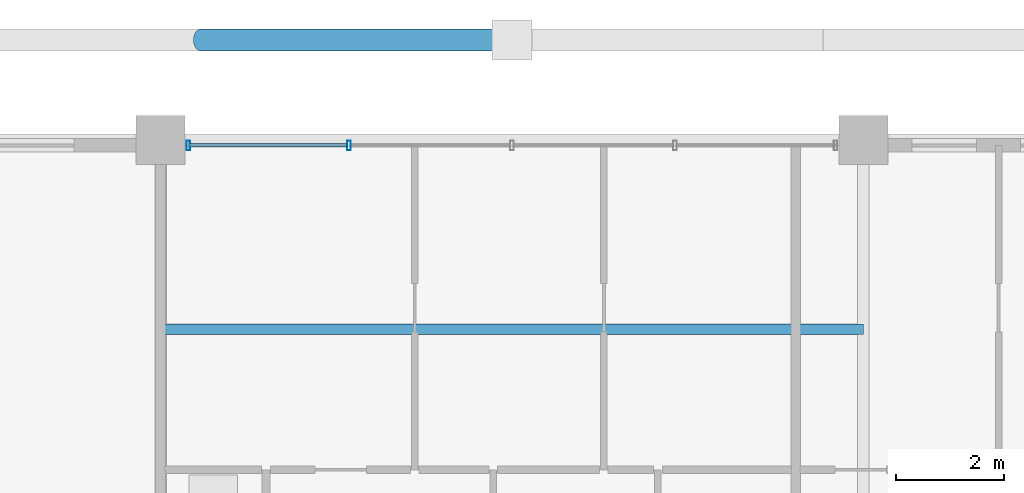
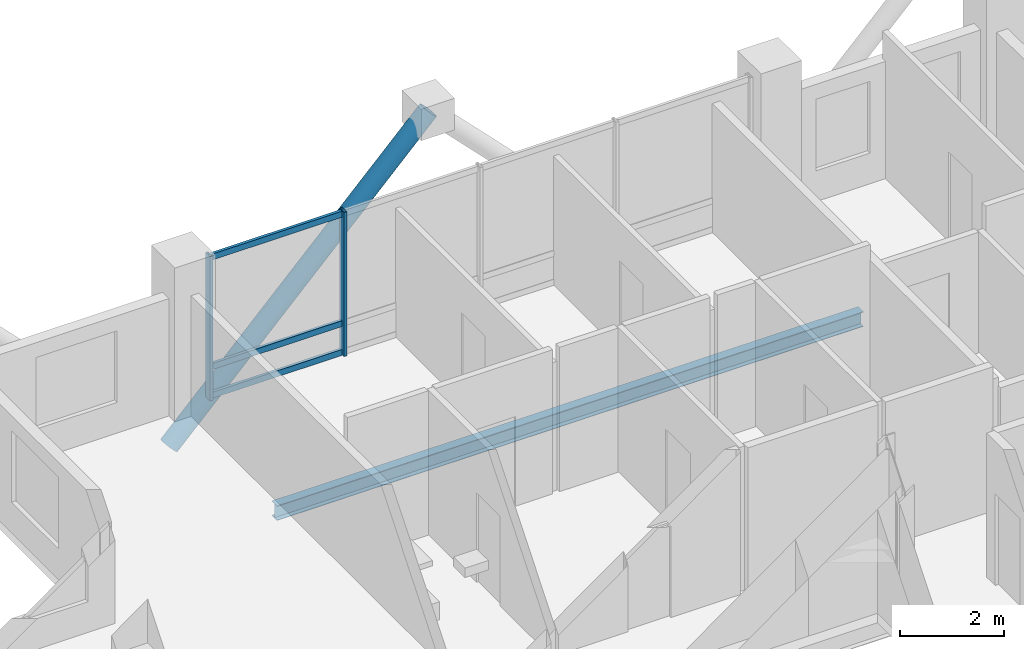
# One storey, part 14 of 24: 6 members, 1 beam, 1 element without a shape of its own.
"""IFC4 building model written with IfcOpenShell, lengths in metres."""

import ifcopenshell
import ifcopenshell.guid

model = None  # the IFC model being written
_history = None  # IfcOwnerHistory: only IFC2X3 demands one
_inside = {}  # id of a spatial element -> (the spatial element, [elements in it])
_under = {}  # id of a project, library or spatial element -> (it, [spatial elements below it])
_declared = {}  # id of a project -> (the project, [libraries it declares])
_typed = {}  # id of a type object -> (the type object, [elements of that type])
_made_of = {}  # id of a material, layer set ... -> (it, [elements and type objects made of it])


def new_model(schema):
    """Start an empty IFC model of exactly this schema.

    Asked for "IFC4X3", IfcOpenShell would pick the latest addendum, in which some entities
    have other attributes; the version numbers below select the first issue.
    IFC2X3 requires an IfcOwnerHistory on every rooted entity: one is made here for all.
    """
    global model, _history
    if schema == "IFC4X3":
        model = ifcopenshell.file(schema_version=(4, 3, 0, 0))
    else:
        model = ifcopenshell.file(schema=schema)
    _inside.clear()
    _under.clear()
    _declared.clear()
    _typed.clear()
    _made_of.clear()
    _history = None
    if model.schema == "IFC2X3":
        org = make("IfcOrganization", Name="unknown")
        user = make(
            "IfcPersonAndOrganization",
            ThePerson=make("IfcPerson", FamilyName="unknown"),
            TheOrganization=org,
        )
        app = make(
            "IfcApplication",
            ApplicationDeveloper=org,
            Version="unknown",
            ApplicationFullName="unknown",
            ApplicationIdentifier="unknown",
        )
        _history = make(
            "IfcOwnerHistory",
            OwningUser=user,
            OwningApplication=app,
            ChangeAction="ADDED",
            CreationDate=0,
        )
    return model


def make(cls, **values):
    """One entity of the class cls with the attributes given. An attribute that is None is left unset."""
    return model.create_entity(
        cls, **{name: value for name, value in values.items() if value is not None}
    )


def rooted(cls, **values):
    """An entity with a GlobalId (a new one), such as an element, a storey or a relation."""
    return make(cls, GlobalId=ifcopenshell.guid.new(), OwnerHistory=_history, **values)


def si_unit(unit_type, name, prefix=None):
    """IfcSIUnit, for example si_unit("LENGTHUNIT", "METRE", prefix="MILLI")."""
    return make("IfcSIUnit", UnitType=unit_type, Prefix=prefix, Name=name)


def assignment(units):
    """IfcUnitAssignment: the units of a project."""
    return None if units is None else make("IfcUnitAssignment", Units=units)


def point(xyz):
    """IfcCartesianPoint."""
    return None if xyz is None else make("IfcCartesianPoint", Coordinates=xyz)


def direction(xyz):
    """IfcDirection."""
    return None if xyz is None else make("IfcDirection", DirectionRatios=xyz)


def frame(location, z_axis=None, x_axis=None):
    """IfcAxis2Placement3D, a coordinate frame: its origin and axes. An axis left out is left unset."""
    return make(
        "IfcAxis2Placement3D",
        Location=point(location),
        Axis=direction(z_axis),
        RefDirection=direction(x_axis),
    )


def frame_2d(location, x_axis=None):
    """IfcAxis2Placement2D, a coordinate frame in the plane: its origin and x axis."""
    return make(
        "IfcAxis2Placement2D", Location=point(location), RefDirection=direction(x_axis)
    )


def origin():
    """The frame at (0, 0, 0) with its axes left unset."""
    return frame((0.0, 0.0, 0.0))


def origin_2d():
    """The frame at (0, 0) in the plane with its x axis left unset."""
    return frame_2d((0.0, 0.0))


def place(relative_to, where):
    """IfcLocalPlacement: puts the frame where relative to a parent placement (None: the world)."""
    return make(
        "IfcLocalPlacement", PlacementRelTo=relative_to, RelativePlacement=where
    )


def context(
    kind, dimensions, precision=None, world=None, true_north=None, identifier=None
):
    """IfcGeometricRepresentationContext, for example the 3D "Model" context."""
    return make(
        "IfcGeometricRepresentationContext",
        ContextIdentifier=identifier,
        ContextType=kind,
        CoordinateSpaceDimension=dimensions,
        Precision=precision,
        WorldCoordinateSystem=world,
        TrueNorth=true_north,
    )


def subcontext(parent, identifier, kind, view, scale=None):
    """IfcGeometricRepresentationSubContext, for example "Body" below "Model"."""
    return make(
        "IfcGeometricRepresentationSubContext",
        ContextIdentifier=identifier,
        ContextType=kind,
        ParentContext=parent,
        TargetScale=scale,
        TargetView=view,
    )


def project(units=None, contexts=None):
    """IfcProject with its units and contexts."""
    return rooted(
        "IfcProject",
        Name="project",
        RepresentationContexts=contexts,
        UnitsInContext=assignment(units),
    )


def spatial(cls, under=None, at=None, **own):
    """A site, building, storey or space (cls), placed at a placement, below another one or the project."""
    s = rooted(cls, ObjectPlacement=at, **own)
    if under is not None:
        _under.setdefault(under.id(), (under, []))[1].append(s)
    return s


def profile(cls, at=None, kind="AREA", **sizes):
    """A parametric profile (cls). Its sizes go by their IFC names, for example OverallWidth=200.0."""
    return make(cls, ProfileType=kind, Position=at, **sizes)


def hollow_rectangle(**sizes):
    """IfcRectangleHollowProfileDef."""
    return profile("IfcRectangleHollowProfileDef", **sizes)


def hollow_circle(**sizes):
    """IfcCircleHollowProfileDef."""
    return profile("IfcCircleHollowProfileDef", **sizes)


def i_section(**sizes):
    """IfcIShapeProfileDef."""
    return profile("IfcIShapeProfileDef", **sizes)


def extrude(swept, where, along, depth):
    """IfcExtrudedAreaSolid: the profile swept, set in the frame where, extruded along a direction by depth."""
    return make(
        "IfcExtrudedAreaSolid",
        SweptArea=swept,
        Position=where,
        ExtrudedDirection=direction(along),
        Depth=depth,
    )


def shape(context_of_items, identifier, shape_type, items):
    """IfcShapeRepresentation: the items that make up one representation, for example the "Body"."""
    return make(
        "IfcShapeRepresentation",
        ContextOfItems=context_of_items,
        RepresentationIdentifier=identifier,
        RepresentationType=shape_type,
        Items=items,
    )


def material(Name=None, Category=None):
    """IfcMaterial."""
    return make("IfcMaterial", Name=Name, Category=Category)


def layer(
    of_material, thickness, ventilated=None, Name=None, Category=None, Priority=None
):
    """IfcMaterialLayer: one layer of a wall or slab, of a material (None: an air gap)."""
    return make(
        "IfcMaterialLayer",
        Material=of_material,
        LayerThickness=thickness,
        IsVentilated=ventilated,
        Name=Name,
        Category=Category,
        Priority=Priority,
    )


def layer_set(layers, Name=None):
    """IfcMaterialLayerSet."""
    return make("IfcMaterialLayerSet", MaterialLayers=layers, LayerSetName=Name)


def material_profile(
    of_material, cross_section, Name=None, Category=None, Priority=None
):
    """IfcMaterialProfile: a cross section and its material."""
    return make(
        "IfcMaterialProfile",
        Name=Name,
        Material=of_material,
        Profile=cross_section,
        Priority=Priority,
        Category=Category,
    )


def profile_set(profiles, Name=None, composite=None):
    """IfcMaterialProfileSet."""
    return make(
        "IfcMaterialProfileSet",
        Name=Name,
        MaterialProfiles=profiles,
        CompositeProfile=composite,
    )


def made_of(thing, what):
    """Note that an element or type object is made of a material, layer set ...; save() writes the relation."""
    if what is not None:
        _made_of.setdefault(what.id(), (what, []))[1].append(thing)
    return thing


def type_object(cls, material=None, **own):
    """A type object (cls), such as IfcWallType, which elements share."""
    return made_of(rooted(cls, **own), material)


def element(
    cls,
    number,
    at=None,
    inside=None,
    cuts=None,
    type_object=None,
    material=None,
    context=None,
    identifier="Body",
    shape_type=None,
    held_by="IfcProductDefinitionShape",
    body=None,
    shapes=None,
    **own,
):
    """One element of the class cls, such as IfcWall. Its Tag is "e" and its number.

    at: its placement. inside: the storey or other place that contains it. cuts: it is an
    opening in that element (IfcRelVoidsElement). A single representation is given by context,
    identifier, shape_type and body (its items); several are given by shapes. held_by: the class
    of the entity that holds the representations. save() writes the other relations.
    """
    e = rooted(cls, Tag="e%d" % number, ObjectPlacement=at, **own)
    if body is not None:
        shapes = [shape(context, identifier, shape_type, body)]
    if shapes is not None:
        e.Representation = make(held_by, Representations=shapes)
    if inside is not None:
        _inside.setdefault(inside.id(), (inside, []))[1].append(e)
    if cuts is not None:
        rooted(
            "IfcRelVoidsElement", RelatingBuildingElement=cuts, RelatedOpeningElement=e
        )
    if type_object is not None:
        _typed.setdefault(type_object.id(), (type_object, []))[1].append(e)
    return made_of(e, material)


def aggregate(whole, parts):
    """IfcRelAggregates: a whole, such as a stair, and the parts it consists of."""
    return rooted("IfcRelAggregates", RelatingObject=whole, RelatedObjects=parts)


def save(model, path):
    """Write the relations noted so far, then the file.

    IfcRelAggregates (storeys below a building ...), IfcRelContainedInSpatialStructure (elements
    in a storey), IfcRelDefinesByType, IfcRelAssociatesMaterial and IfcRelDeclares: one each for
    every whole, place, type object, material and project.
    """
    for whole, parts in _under.values():
        aggregate(whole, parts)
    for where, things in _inside.values():
        rooted(
            "IfcRelContainedInSpatialStructure",
            RelatedElements=things,
            RelatingStructure=where,
        )
    for kind, things in _typed.values():
        rooted("IfcRelDefinesByType", RelatedObjects=things, RelatingType=kind)
    for what, things in _made_of.values():
        rooted("IfcRelAssociatesMaterial", RelatedObjects=things, RelatingMaterial=what)
    for by, libraries in _declared.values():
        rooted("IfcRelDeclares", RelatingContext=by, RelatedDefinitions=libraries)
    model.write(path)


model = new_model("IFC4")

# Units and contexts
model_context = context("Model", 3, precision=1e-05, world=origin(), true_north=direction((0.0, 1.0)))
body_context = subcontext(model_context, "Body", "Model", "MODEL_VIEW")
ifc_project = project(units=[si_unit("LENGTHUNIT", "METRE"), si_unit("AREAUNIT", "SQUARE_METRE"), si_unit("VOLUMEUNIT", "CUBIC_METRE"), si_unit("PLANEANGLEUNIT", "RADIAN"), si_unit("MASSUNIT", "GRAM", prefix="KILO")], contexts=[model_context])

# Site, building, storey
site_placement = place(None, origin())
site = spatial("IfcSite", under=ifc_project, at=site_placement, CompositionType="ELEMENT")
building_placement = place(site_placement, origin())
building = spatial("IfcBuilding", under=site, at=building_placement, Name="Barlavira Tower and Art Museum", CompositionType="ELEMENT")
storey_placement = place(building_placement, frame((0.0, 0.0, 225.89990234375)))
storey = spatial("IfcBuildingStorey", under=building, at=storey_placement, Name="L58", CompositionType="ELEMENT", Elevation=225.89990234375)

# Curtain wall, members
ifc_material_1 = material(Name="Low-iron coastal laminated glass", Category="glass")
ifc_layer = layer(ifc_material_1, 0.2099609375, Name="Low-iron coastal laminated glass")
ifc_layer_set = layer_set([ifc_layer], Name="Low-iron coastal laminated glass")
curtain_wall_type = type_object("IfcCurtainWallType", Name="Pale-Metal Unitised Curtain Wall Zone 4", PredefinedType="NOTDEFINED", material=ifc_layer_set)
curtain_wall_placement = place(storey_placement, origin())
curtain_wall = element("IfcCurtainWall", 1, at=curtain_wall_placement, inside=storey, type_object=curtain_wall_type, Name="L58 Curtain Wall CW4-L58-N-B2", PredefinedType="NOTDEFINED")
ifc_material_2 = material(Name="Pale anodised aluminium", Category="aluminium")
ifc_material_profile_1 = material_profile(ifc_material_2, hollow_rectangle(XDim=0.06494140625, YDim=0.179931640625, WallThickness=0.00390625, at=origin_2d()), Name="ALU-MULL 65x180x4")
ifc_profile_set_1 = profile_set([ifc_material_profile_1], Name="Pale anodised aluminium")
member_type_1 = type_object("IfcMemberType", Name="Curtain Wall Pale-Metal Mullion 65x180", PredefinedType="MULLION", material=ifc_profile_set_1)
member_1_placement = place(storey_placement, frame((-3.014892578125, 19.89990234375, 0.0), z_axis=(0.0, 0.0, 1.0), x_axis=(-1.0, 0.0, 0.0)))
member_1 = element("IfcMember", 2, at=member_1_placement, type_object=member_type_1, Name="CW4-L58-N-B2 Mullion 3", PredefinedType="MULLION", context=body_context, shape_type="SweptSolid", body=[
    extrude(hollow_rectangle(XDim=0.06494140625, YDim=0.179931640625, WallThickness=0.00390625, at=origin_2d()), origin(), (0.0, 0.0, 1.0), 3.380126953125),
])
member_2_placement = place(storey_placement, frame((-5.985107421875, 19.89990234375, 0.0), z_axis=(0.0, 0.0, 1.0), x_axis=(-1.0, 0.0, 0.0)))
member_2 = element("IfcMember", 3, at=member_2_placement, type_object=member_type_1, Name="CW4-L58-N-B2 Mullion 4", PredefinedType="MULLION", context=body_context, shape_type="SweptSolid", body=[
    extrude(hollow_rectangle(XDim=0.06494140625, YDim=0.179931640625, WallThickness=0.00390625, at=origin_2d()), origin(), (0.0, 0.0, 1.0), 3.380126953125),
])
ifc_material_profile_2 = material_profile(ifc_material_2, hollow_rectangle(XDim=0.06494140625, YDim=0.139892578125, WallThickness=0.00390625, at=origin_2d()), Name="ALU-TRAN 65x140x4")
ifc_profile_set_2 = profile_set([ifc_material_profile_2], Name="Pale anodised aluminium")
member_type_2 = type_object("IfcMemberType", Name="Curtain Wall Pale-Metal Transom 65x140", PredefinedType="USERDEFINED", material=ifc_profile_set_2)
member_3_placement = place(storey_placement, frame((-3.06005859375, 19.89990234375, 0.070068359375), z_axis=(-1.0, 0.0, 0.0), x_axis=(0.0, -1.0, 0.0)))
member_3 = element("IfcMember", 4, at=member_3_placement, type_object=member_type_2, Name="CW4-L58-N-B2 Transom 3.1", ObjectType="TRANSOM", PredefinedType="USERDEFINED", context=body_context, shape_type="SweptSolid", body=[
    extrude(hollow_rectangle(XDim=0.06494140625, YDim=0.139892578125, WallThickness=0.00390625, at=origin_2d()), origin(), (0.0, 0.0, 1.0), 2.925048828125),
])
member_4_placement = place(storey_placement, frame((-3.06005859375, 19.89990234375, 0.744140625), z_axis=(-1.0, 0.0, 0.0), x_axis=(0.0, -1.0, 0.0)))
member_4 = element("IfcMember", 5, at=member_4_placement, type_object=member_type_2, Name="CW4-L58-N-B2 Transom 3.2", ObjectType="TRANSOM", PredefinedType="USERDEFINED", context=body_context, shape_type="SweptSolid", body=[
    extrude(hollow_rectangle(XDim=0.06494140625, YDim=0.139892578125, WallThickness=0.00390625, at=origin_2d()), origin(), (0.0, 0.0, 1.0), 2.925048828125),
])
member_5_placement = place(storey_placement, frame((-3.06005859375, 19.89990234375, 3.31005859375), z_axis=(-1.0, 0.0, 0.0), x_axis=(0.0, -1.0, 0.0)))
member_5 = element("IfcMember", 6, at=member_5_placement, type_object=member_type_2, Name="CW4-L58-N-B2 Transom 3.3", ObjectType="TRANSOM", PredefinedType="USERDEFINED", context=body_context, shape_type="SweptSolid", body=[
    extrude(hollow_rectangle(XDim=0.06494140625, YDim=0.139892578125, WallThickness=0.00390625, at=origin_2d()), origin(), (0.0, 0.0, 1.0), 2.925048828125),
])
aggregate(curtain_wall, [member_1, member_2, member_3, member_4, member_5])

# Member
ifc_material_3 = material(Name="Steel S355", Category="steel")
ifc_material_profile_3 = material_profile(ifc_material_3, hollow_circle(Radius=0.203125, WallThickness=0.01611328125, at=origin_2d()), Name="CHS 406.4x16.0")
ifc_profile_set_3 = profile_set([ifc_material_profile_3], Name="Steel S355")
member_type_3 = type_object("IfcMemberType", Name="Pale-Metal Exoskeleton Diagrid Tube CHS 406x16 Steel S355", PredefinedType="BRACE", material=ifc_profile_set_3)
member_6_placement = place(storey_placement, frame((-5.75, 21.85009765625, -2.369873046875), z_axis=(0.700993913973, 0.0, 0.713167254276), x_axis=(0.0, 1.0, 0.0)))
element("IfcMember", 7, at=member_6_placement, inside=storey, type_object=member_type_3, Name="L58 Exoskeleton Diagrid Tube N", PredefinedType="BRACE", context=body_context, shape_type="SweptSolid", body=[
    extrude(hollow_circle(Radius=0.203125, WallThickness=0.01611328125, at=origin_2d()), origin(), (0.0, 0.0, 1.0), 8.20263671875),
])

# Beam
ifc_material_profile_4 = material_profile(ifc_material_3, i_section(OverallWidth=0.202880859375, OverallDepth=0.346923828125, WebThickness=0.0078125, FlangeThickness=0.013427734375, at=origin_2d()), Name="W360x64.0")
ifc_profile_set_4 = profile_set([ifc_material_profile_4], Name="Steel S355")
beam_type = type_object("IfcBeamType", Name="Zone 4 Composite Floor Joist W360x64 Steel S355", PredefinedType="JOIST", material=ifc_profile_set_4)
beam_placement = place(storey_placement, frame((-6.5, 16.5, -0.393310546875), z_axis=(1.0, 0.0, 0.0), x_axis=(0.0, 1.0, 0.0)))
element("IfcBeam", 8, at=beam_placement, inside=storey, type_object=beam_type, Name="L58 Joist C2", PredefinedType="JOIST", context=body_context, shape_type="SweptSolid", body=[
    extrude(i_section(OverallWidth=0.202880859375, OverallDepth=0.346923828125, WebThickness=0.0078125, FlangeThickness=0.013427734375, at=origin_2d()), origin(), (0.0, 0.0, 1.0), 13.0),
])

save(model, "model.ifc")
